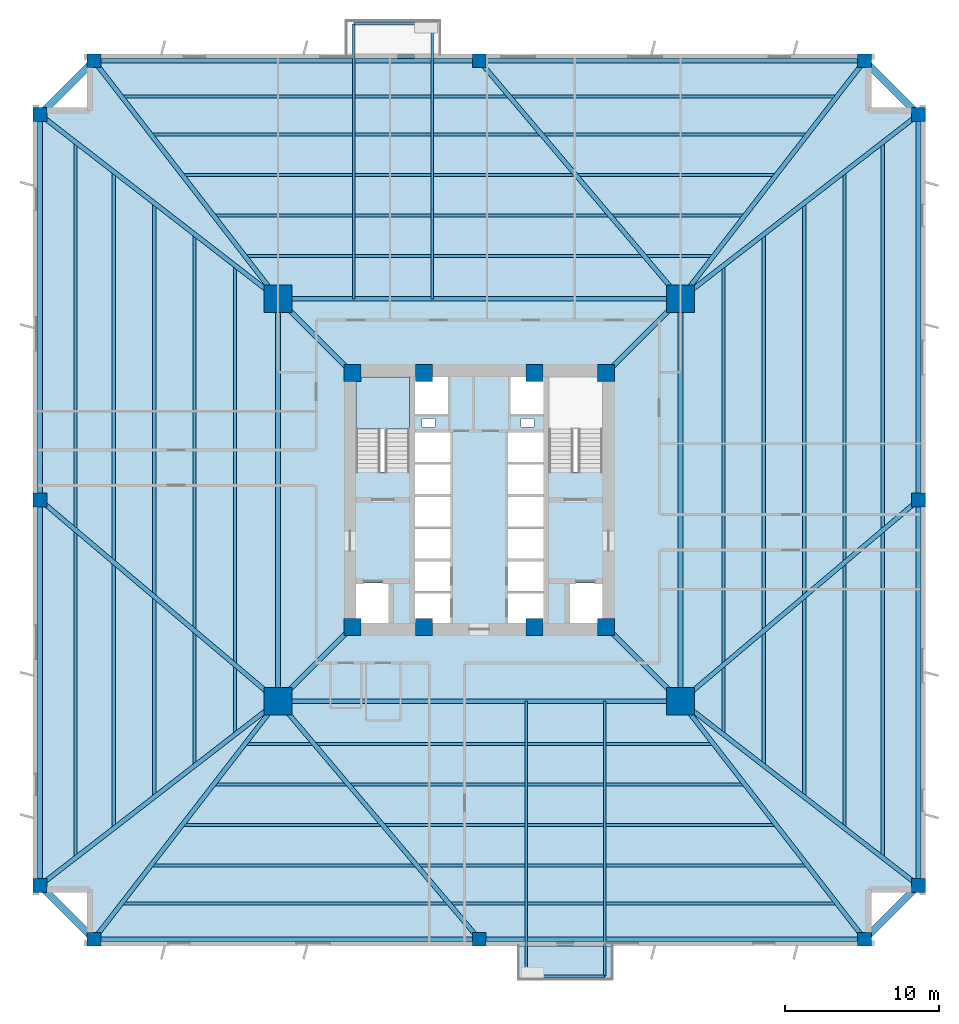
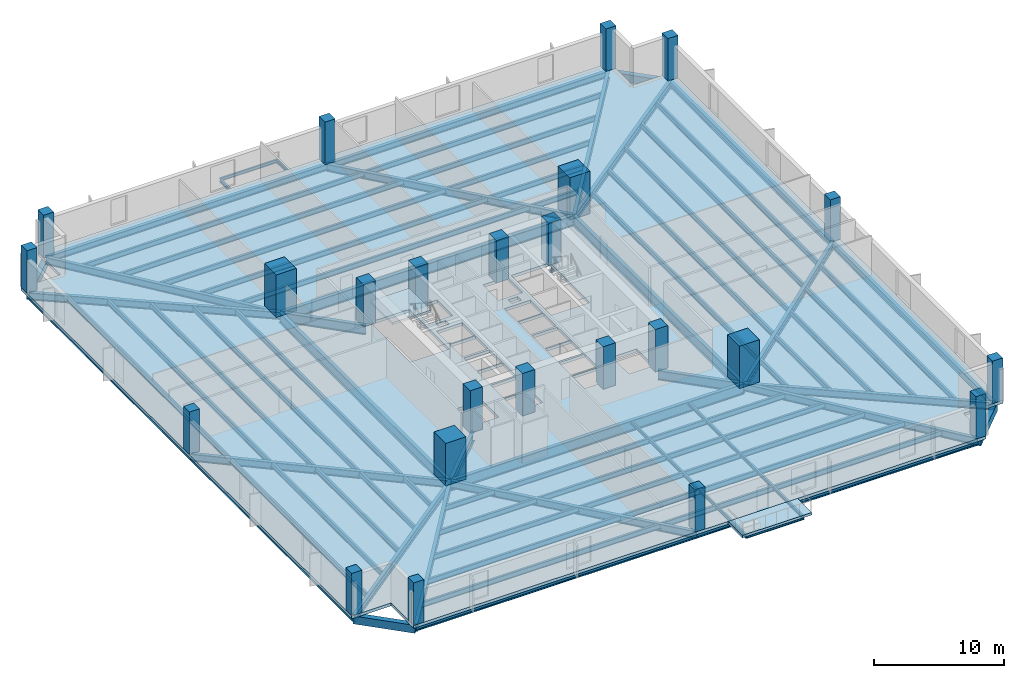
# One storey, part 1 of 8: 58 beams, 24 columns, 3 slabs, 1 element without a shape of its own.
"""IFC4 building model written with IfcOpenShell, lengths in metres."""

from ifc_helpers import new_model, si_unit, direction, frame, origin, origin_2d, place, context, subcontext, project, spatial, polyline, rectangle, i_section, outline, extrude, source, transform, mapped, material, layer, layer_set, material_profile, profile_set, type_object, element, aggregate, save


model = new_model("IFC4")

# Units and contexts
model_context = context("Model", 3, precision=1e-05, world=origin(), true_north=direction((0.0, 1.0)))
body_context = subcontext(model_context, "Body", "Model", "MODEL_VIEW")
ifc_project = project(units=[si_unit("LENGTHUNIT", "METRE"), si_unit("AREAUNIT", "SQUARE_METRE"), si_unit("VOLUMEUNIT", "CUBIC_METRE"), si_unit("PLANEANGLEUNIT", "RADIAN"), si_unit("MASSUNIT", "GRAM", prefix="KILO"), si_unit("THERMODYNAMICTEMPERATUREUNIT", "KELVIN")], contexts=[model_context])

# Site, building, storey
site_placement = place(None, origin())
site = spatial("IfcSite", under=ifc_project, at=site_placement, CompositionType="ELEMENT")
building_placement = place(site_placement, origin())
building = spatial("IfcBuilding", under=site, at=building_placement, Name="Kosmvard Interchange Tower", CompositionType="ELEMENT")
storey_placement = place(building_placement, frame((0.0, 0.0, 38.0)))
storey = spatial("IfcBuildingStorey", under=building, at=storey_placement, Name="L08", CompositionType="ELEMENT", Elevation=38.0)

# Columns
ifc_material_1 = material(Name="Concrete C80/95", Category="concrete")
ifc_material_profile_1 = material_profile(ifc_material_1, rectangle(XDim=1.10009765625, YDim=1.10009765625, at=origin_2d()), Name="CP 1100x1100")
ifc_profile_set_1 = profile_set([ifc_material_profile_1], Name="Concrete C80/95")
column_type_1 = type_object("IfcColumnType", Name="Core Boundary Pilaster 1100x1100 C80/95", PredefinedType="PILASTER", material=ifc_profile_set_1)
shared_shape_1 = source(origin(), body_context, "Body", "SweptSolid", [
    extrude(rectangle(XDim=1.10009765625, YDim=1.10009765625, at=origin_2d()), origin(), (0.0, 0.0, 1.0), 4.0),
])
for number, where, z_axis, x_axis, name in (
    (1, (-8.25, -8.25, 0.0), (0.0, 0.0, 1.0), (1.0, 0.0, 0.0), "L08 Core Pilaster CP1"),
    (2, (8.25, -8.25, 0.0), (0.0, 0.0, 1.0), (1.0, 0.0, 0.0), "L08 Core Pilaster CP2"),
    (3, (8.25, 8.25, 0.0), (0.0, 0.0, 1.0), (1.0, 0.0, 0.0), "L08 Core Pilaster CP3"),
    (4, (-8.25, 8.25, 0.0), (0.0, 0.0, 1.0), (1.0, 0.0, 0.0), "L08 Core Pilaster CP4"),
    (5, (-3.60009765625, -8.25, 0.0), (0.0, 0.0, 1.0), (1.0, 0.0, 0.0), "L08 Core Pilaster CP5"),
    (6, (3.60009765625, -8.25, 0.0), (0.0, 0.0, 1.0), (1.0, 0.0, 0.0), "L08 Core Pilaster CP6"),
    (7, (-3.60009765625, 8.25, 0.0), (0.0, 0.0, 1.0), (1.0, 0.0, 0.0), "L08 Core Pilaster CP7"),
    (8, (3.60009765625, 8.25, 0.0), (0.0, 0.0, 1.0), (1.0, 0.0, 0.0), "L08 Core Pilaster CP8"),
):
    element("IfcColumn", number, at=place(storey_placement, frame(where, z_axis=z_axis, x_axis=x_axis)), inside=storey, type_object=column_type_1, Name=name, PredefinedType="PILASTER", context=body_context, shape_type="MappedRepresentation", body=[
        mapped(shared_shape_1, transform((0.0, 0.0, 0.0), scale=1.0)),
    ])
ifc_material_profile_2 = material_profile(ifc_material_1, rectangle(XDim=1.800048828125, YDim=1.800048828125, at=origin_2d()), Name="MC 1800x1800")
ifc_profile_set_2 = profile_set([ifc_material_profile_2], Name="Concrete C80/95")
column_type_2 = type_object("IfcColumnType", Name="Composite Mega-Column 1800x1800 C80/95", PredefinedType="COLUMN", material=ifc_profile_set_2)
shared_shape_2 = source(origin(), body_context, "Body", "SweptSolid", [
    extrude(rectangle(XDim=1.800048828125, YDim=1.800048828125, at=origin_2d()), origin(), (0.0, 0.0, 1.0), 4.0),
])
for number, where, z_axis, x_axis, name in (
    (9, (-13.0810546875, -13.0810546875, 0.0), (0.0, 0.0, 1.0), (1.0, 0.0, 0.0), "L08 Corner Mega-Column MC1"),
    (10, (13.0810546875, -13.0810546875, 0.0), (0.0, 0.0, 1.0), (1.0, 0.0, 0.0), "L08 Corner Mega-Column MC2"),
    (11, (13.0810546875, 13.0810546875, 0.0), (0.0, 0.0, 1.0), (1.0, 0.0, 0.0), "L08 Corner Mega-Column MC3"),
    (12, (-13.0810546875, 13.0810546875, 0.0), (0.0, 0.0, 1.0), (1.0, 0.0, 0.0), "L08 Corner Mega-Column MC4"),
):
    element("IfcColumn", number, at=place(storey_placement, frame(where, z_axis=z_axis, x_axis=x_axis)), inside=storey, type_object=column_type_2, Name=name, PredefinedType="COLUMN", context=body_context, shape_type="MappedRepresentation", body=[
        mapped(shared_shape_2, transform((0.0, 0.0, 0.0), scale=1.0)),
    ])
ifc_material_2 = material(Name="Concrete C60/75", Category="concrete")
ifc_material_profile_3 = material_profile(ifc_material_2, rectangle(XDim=0.89990234375, YDim=0.89990234375, at=origin_2d()), Name="TC 900x900")
ifc_profile_set_3 = profile_set([ifc_material_profile_3], Name="Concrete C60/75")
column_type_3 = type_object("IfcColumnType", Name="Zone 1 Perimeter Pier Column 900x900 C60/75", PredefinedType="COLUMN", material=ifc_profile_set_3)
shared_shape_3 = source(origin(), body_context, "Body", "SweptSolid", [
    extrude(rectangle(XDim=0.89990234375, YDim=0.89990234375, at=origin_2d()), origin(), (0.0, 0.0, 1.0), 4.0),
])
for number, where, z_axis, x_axis, name in (
    (13, (-25.050048828125, -28.550048828125, 0.0), (0.0, 0.0, 1.0), (1.0, 0.0, 0.0), "L08 Perimeter Pier Column TC-S1"),
    (14, (0.0, -28.550048828125, 0.0), (0.0, 0.0, 1.0), (1.0, 0.0, 0.0), "L08 Perimeter Pier Column TC-S2"),
    (15, (25.050048828125, -28.550048828125, 0.0), (0.0, 0.0, 1.0), (1.0, 0.0, 0.0), "L08 Perimeter Pier Column TC-S3"),
    (16, (28.550048828125, -25.050048828125, 0.0), (0.0, 0.0, 1.0), (1.0, 0.0, 0.0), "L08 Perimeter Pier Column TC-E1"),
    (17, (28.550048828125, 0.0, 0.0), (0.0, 0.0, 1.0), (1.0, 0.0, 0.0), "L08 Perimeter Pier Column TC-E2"),
    (18, (28.550048828125, 25.050048828125, 0.0), (0.0, 0.0, 1.0), (1.0, 0.0, 0.0), "L08 Perimeter Pier Column TC-E3"),
    (19, (25.050048828125, 28.550048828125, 0.0), (0.0, 0.0, 1.0), (1.0, 0.0, 0.0), "L08 Perimeter Pier Column TC-N1"),
    (20, (0.0, 28.550048828125, 0.0), (0.0, 0.0, 1.0), (1.0, 0.0, 0.0), "L08 Perimeter Pier Column TC-N2"),
    (21, (-25.050048828125, 28.550048828125, 0.0), (0.0, 0.0, 1.0), (1.0, 0.0, 0.0), "L08 Perimeter Pier Column TC-N3"),
    (22, (-28.550048828125, 25.050048828125, 0.0), (0.0, 0.0, 1.0), (1.0, 0.0, 0.0), "L08 Perimeter Pier Column TC-W1"),
    (23, (-28.550048828125, 0.0, 0.0), (0.0, 0.0, 1.0), (1.0, 0.0, 0.0), "L08 Perimeter Pier Column TC-W2"),
    (24, (-28.550048828125, -25.050048828125, 0.0), (0.0, 0.0, 1.0), (1.0, 0.0, 0.0), "L08 Perimeter Pier Column TC-W3"),
):
    element("IfcColumn", number, at=place(storey_placement, frame(where, z_axis=z_axis, x_axis=x_axis)), inside=storey, type_object=column_type_3, Name=name, PredefinedType="COLUMN", context=body_context, shape_type="MappedRepresentation", body=[
        mapped(shared_shape_3, transform((0.0, 0.0, 0.0), scale=1.0)),
    ])

# Beams
ifc_material_3 = material(Name="Steel S460", Category="steel")
ifc_material_profile_4 = material_profile(ifc_material_3, i_section(OverallWidth=0.30810546875, OverallDepth=0.909912109375, WebThickness=0.02099609375, FlangeThickness=0.0400390625, FilletRadius=0.027099609375, at=origin_2d()), Name="HEM 900")
ifc_profile_set_4 = profile_set([ifc_material_profile_4], Name="Steel S460")
beam_type_1 = type_object("IfcBeamType", Name="Primary Mega-Frame Girder HEM 900 S460", PredefinedType="BEAM", material=ifc_profile_set_4)
shared_shape_4 = source(origin(), body_context, "Body", "SweptSolid", [
    extrude(i_section(OverallWidth=0.30810546875, OverallDepth=0.909912109375, WebThickness=0.02099609375, FlangeThickness=0.0400390625, FilletRadius=0.027099609375, at=origin_2d()), origin(), (0.0, 0.0, 1.0), 6.83203125),
])
for number, where, z_axis, x_axis, name in (
    (25, (-8.25, -8.25, -0.735107421875), (-0.707106781187, -0.707106781187, 0.0), (0.707106781187, -0.707106781187, 0.0), "L08 Radial Mega-Frame Girder 1"),
    (26, (8.25, -8.25, -0.735107421875), (0.707106781187, -0.707106781187, 0.0), (0.707106781187, 0.707106781187, 0.0), "L08 Radial Mega-Frame Girder 2"),
    (27, (8.25, 8.25, -0.735107421875), (0.707106781187, 0.707106781187, 0.0), (-0.707106781187, 0.707106781187, 0.0), "L08 Radial Mega-Frame Girder 3"),
    (28, (-8.25, 8.25, -0.735107421875), (-0.707106781187, 0.707106781187, 0.0), (-0.707106781187, -0.707106781187, 0.0), "L08 Radial Mega-Frame Girder 4"),
):
    element("IfcBeam", number, at=place(storey_placement, frame(where, z_axis=z_axis, x_axis=x_axis)), inside=storey, type_object=beam_type_1, Name=name, PredefinedType="BEAM", context=body_context, shape_type="MappedRepresentation", body=[
        mapped(shared_shape_4, transform((0.0, 0.0, 0.0), scale=1.0)),
    ])
ifc_material_profile_5 = material_profile(ifc_material_3, i_section(OverallWidth=0.30908203125, OverallDepth=1.008056640625, WebThickness=0.02099609375, FlangeThickness=0.0400390625, FilletRadius=0.030029296875, at=origin_2d()), Name="HEM 1000")
ifc_profile_set_5 = profile_set([ifc_material_profile_5], Name="Steel S460")
beam_type_2 = type_object("IfcBeamType", Name="Mega-Column Ring Girder HEM 1000 S460", PredefinedType="BEAM", material=ifc_profile_set_5)
shared_shape_5 = source(origin(), body_context, "Body", "SweptSolid", [
    extrude(i_section(OverallWidth=0.30908203125, OverallDepth=1.008056640625, WebThickness=0.02099609375, FlangeThickness=0.0400390625, FilletRadius=0.030029296875, at=origin_2d()), origin(), (0.0, 0.0, 1.0), 26.162109375),
])
for number, where, z_axis, x_axis, name in (
    (29, (-13.0810546875, -13.0810546875, -0.783935546875), (1.0, 0.0, 0.0), (0.0, 1.0, 0.0), "L08 Mega-Column Ring Girder 1"),
    (30, (13.0810546875, -13.0810546875, -0.783935546875), (0.0, 1.0, 0.0), (-1.0, 0.0, 0.0), "L08 Mega-Column Ring Girder 2"),
    (31, (13.0810546875, 13.0810546875, -0.783935546875), (-1.0, 0.0, 0.0), (0.0, -1.0, 0.0), "L08 Mega-Column Ring Girder 3"),
    (32, (-13.0810546875, 13.0810546875, -0.783935546875), (0.0, -1.0, 0.0), (1.0, 0.0, 0.0), "L08 Mega-Column Ring Girder 4"),
):
    element("IfcBeam", number, at=place(storey_placement, frame(where, z_axis=z_axis, x_axis=x_axis)), inside=storey, type_object=beam_type_2, Name=name, PredefinedType="BEAM", context=body_context, shape_type="MappedRepresentation", body=[
        mapped(shared_shape_5, transform((0.0, 0.0, 0.0), scale=1.0)),
    ])
ifc_material_4 = material(Name="Steel S355", Category="steel")
ifc_material_profile_6 = material_profile(ifc_material_4, i_section(OverallWidth=0.159912109375, OverallDepth=0.330078125, WebThickness=0.007568359375, FlangeThickness=0.011474609375, FilletRadius=0.01806640625, at=origin_2d()), Name="IPE 330")
ifc_profile_set_6 = profile_set([ifc_material_profile_6], Name="Steel S355")
beam_type_3 = type_object("IfcBeamType", Name="Balcony Cantilever Joist IPE 330 S355", PredefinedType="JOIST", material=ifc_profile_set_6)
shared_shape_6 = source(origin(), body_context, "Body", "SweptSolid", [
    extrude(i_section(OverallWidth=0.159912109375, OverallDepth=0.330078125, WebThickness=0.007568359375, FlangeThickness=0.011474609375, FilletRadius=0.01806640625, at=origin_2d()), origin(), (0.0, 0.0, 1.0), 17.868896484375),
])
for number, where, z_axis, x_axis, name in (
    (33, (-3.050048828125, 13.0810546875, -0.445068359375), (0.0, 1.0, 0.0), (-1.0, 0.0, 0.0), "BM-L08-BJ1"),
    (34, (-8.14990234375, 13.0810546875, -0.445068359375), (0.0, 1.0, 0.0), (-1.0, 0.0, 0.0), "BM-L08-BJB1"),
    (35, (3.050048828125, -13.0810546875, -0.445068359375), (0.0, -1.0, 0.0), (1.0, 0.0, 0.0), "BM-L08-BJ2"),
    (36, (8.14990234375, -13.0810546875, -0.445068359375), (0.0, -1.0, 0.0), (1.0, 0.0, 0.0), "BM-L08-BJB2"),
):
    element("IfcBeam", number, at=place(storey_placement, frame(where, z_axis=z_axis, x_axis=x_axis)), inside=storey, type_object=beam_type_3, Name=name, PredefinedType="JOIST", context=body_context, shape_type="MappedRepresentation", body=[
        mapped(shared_shape_6, transform((0.0, 0.0, 0.0), scale=1.0)),
    ])
ifc_material_profile_7 = material_profile(ifc_material_4, i_section(OverallWidth=0.14990234375, OverallDepth=0.300048828125, WebThickness=0.007080078125, FlangeThickness=0.0107421875, FilletRadius=0.014892578125, at=origin_2d()), Name="IPE 300")
ifc_profile_set_7 = profile_set([ifc_material_profile_7], Name="Steel S355")
beam_type_4 = type_object("IfcBeamType", Name="Balcony Edge Header Joist IPE 300 S355", PredefinedType="JOIST", material=ifc_profile_set_7)
shared_shape_7 = source(origin(), body_context, "Body", "SweptSolid", [
    extrude(i_section(OverallWidth=0.14990234375, OverallDepth=0.300048828125, WebThickness=0.007080078125, FlangeThickness=0.0107421875, FilletRadius=0.014892578125, at=origin_2d()), origin(), (0.0, 0.0, 1.0), 5.099853515625),
])
for number, where, z_axis, x_axis, name in (
    (37, (-3.050048828125, 30.949951171875, -0.429931640625), (-1.0, 0.0, 0.0), (0.0, -1.0, 0.0), "BM-L08-BJH1"),
    (38, (3.050048828125, -30.949951171875, -0.429931640625), (1.0, 0.0, 0.0), (0.0, 1.0, 0.0), "BM-L08-BJH2"),
):
    element("IfcBeam", number, at=place(storey_placement, frame(where, z_axis=z_axis, x_axis=x_axis)), inside=storey, type_object=beam_type_4, Name=name, PredefinedType="JOIST", context=body_context, shape_type="MappedRepresentation", body=[
        mapped(shared_shape_7, transform((0.0, 0.0, 0.0), scale=1.0)),
    ])
ifc_material_profile_8 = material_profile(ifc_material_4, i_section(OverallWidth=0.300048828125, OverallDepth=0.60009765625, WebThickness=0.015380859375, FlangeThickness=0.030029296875, FilletRadius=0.027099609375, at=origin_2d()), Name="HEB 600")
ifc_profile_set_8 = profile_set([ifc_material_profile_8], Name="Steel S355")
beam_type_5 = type_object("IfcBeamType", Name="Perimeter Tie Girder HEB 600 S355", PredefinedType="BEAM", material=ifc_profile_set_8)
shared_shape_8 = source(origin(), body_context, "Body", "SweptSolid", [
    extrude(i_section(OverallWidth=0.300048828125, OverallDepth=0.60009765625, WebThickness=0.015380859375, FlangeThickness=0.030029296875, FilletRadius=0.027099609375, at=origin_2d()), origin(), (0.0, 0.0, 1.0), 25.050048828125),
])
for number, where, z_axis, x_axis, name in (
    (39, (-25.050048828125, -28.550048828125, -0.580078125), (1.0, 0.0, 0.0), (0.0, 1.0, 0.0), "BM-L08-PR01"),
    (40, (0.0, -28.550048828125, -0.580078125), (1.0, 0.0, 0.0), (0.0, 1.0, 0.0), "BM-L08-PR02"),
    (41, (28.550048828125, -25.050048828125, -0.580078125), (0.0, 1.0, 0.0), (-1.0, 0.0, 0.0), "BM-L08-PR04"),
    (42, (28.550048828125, 0.0, -0.580078125), (0.0, 1.0, 0.0), (-1.0, 0.0, 0.0), "BM-L08-PR05"),
    (43, (25.050048828125, 28.550048828125, -0.580078125), (-1.0, 0.0, 0.0), (0.0, -1.0, 0.0), "BM-L08-PR07"),
    (44, (0.0, 28.550048828125, -0.580078125), (-1.0, 0.0, 0.0), (0.0, -1.0, 0.0), "BM-L08-PR08"),
    (45, (-28.550048828125, 25.050048828125, -0.580078125), (0.0, -1.0, 0.0), (1.0, 0.0, 0.0), "BM-L08-PR10"),
    (46, (-28.550048828125, 0.0, -0.580078125), (0.0, -1.0, 0.0), (1.0, 0.0, 0.0), "BM-L08-PR11"),
):
    element("IfcBeam", number, at=place(storey_placement, frame(where, z_axis=z_axis, x_axis=x_axis)), inside=storey, type_object=beam_type_5, Name=name, PredefinedType="BEAM", context=body_context, shape_type="MappedRepresentation", body=[
        mapped(shared_shape_8, transform((0.0, 0.0, 0.0), scale=1.0)),
    ])
ifc_material_profile_9 = material_profile(ifc_material_4, i_section(OverallWidth=0.300048828125, OverallDepth=0.699951171875, WebThickness=0.01708984375, FlangeThickness=0.031982421875, FilletRadius=0.027099609375, at=origin_2d()), Name="HEB 700")
ifc_profile_set_9 = profile_set([ifc_material_profile_9], Name="Steel S355")
beam_type_6 = type_object("IfcBeamType", Name="Primary Floor Girder HEB 700 S355", PredefinedType="BEAM", material=ifc_profile_set_9)
shared_shape_9 = source(origin(), body_context, "Body", "SweptSolid", [
    extrude(i_section(OverallWidth=0.300048828125, OverallDepth=0.699951171875, WebThickness=0.01708984375, FlangeThickness=0.031982421875, FilletRadius=0.027099609375, at=origin_2d()), origin(), (0.0, 0.0, 1.0), 19.558837890625),
])
for number, where, z_axis, x_axis, name in (
    (47, (-13.0810546875, -13.0810546875, -0.6298828125), (-0.611949354357, -0.79089695138, 0.0), (0.79089695138, -0.611949354357, 0.0), "BM-L08-RD01"),
    (48, (13.0810546875, -13.0810546875, -0.6298828125), (0.611949354357, -0.79089695138, 0.0), (0.79089695138, 0.611949354357, 0.0), "BM-L08-RD03"),
    (49, (13.0810546875, -13.0810546875, -0.6298828125), (0.79089695138, -0.611949354357, 0.0), (0.611949354357, 0.79089695138, 0.0), "BM-L08-RD04"),
    (50, (13.0810546875, 13.0810546875, -0.6298828125), (0.79089695138, 0.611949354357, 0.0), (-0.611949354357, 0.79089695138, 0.0), "BM-L08-RD06"),
    (51, (13.0810546875, 13.0810546875, -0.6298828125), (0.611949354357, 0.79089695138, 0.0), (-0.79089695138, 0.611949354357, 0.0), "BM-L08-RD07"),
    (52, (-13.0810546875, 13.0810546875, -0.6298828125), (-0.611949354357, 0.79089695138, 0.0), (-0.79089695138, -0.611949354357, 0.0), "BM-L08-RD09"),
    (53, (-13.0810546875, 13.0810546875, -0.6298828125), (-0.79089695138, 0.611949354357, 0.0), (-0.611949354357, -0.79089695138, 0.0), "BM-L08-RD10"),
    (54, (-13.0810546875, -13.0810546875, -0.6298828125), (-0.79089695138, -0.611949354357, 0.0), (0.611949354357, -0.79089695138, 0.0), "BM-L08-RD12"),
):
    element("IfcBeam", number, at=place(storey_placement, frame(where, z_axis=z_axis, x_axis=x_axis)), inside=storey, type_object=beam_type_6, Name=name, PredefinedType="BEAM", context=body_context, shape_type="MappedRepresentation", body=[
        mapped(shared_shape_9, transform((0.0, 0.0, 0.0), scale=1.0)),
    ])
shared_shape_10 = source(origin(), body_context, "Body", "SweptSolid", [
    extrude(i_section(OverallWidth=0.300048828125, OverallDepth=0.699951171875, WebThickness=0.01708984375, FlangeThickness=0.031982421875, FilletRadius=0.027099609375, at=origin_2d()), origin(), (0.0, 0.0, 1.0), 20.258544921875),
])
for number, where, z_axis, x_axis, name in (
    (55, (-13.0810546875, -13.0810546875, -0.6298828125), (0.645709371734, -0.763583268056, 0.0), (0.763583268056, 0.645709371734, 0.0), "BM-L08-RD02"),
    (56, (13.0810546875, -13.0810546875, -0.6298828125), (0.763583268056, 0.645709371734, 0.0), (-0.645709371734, 0.763583268056, 0.0), "BM-L08-RD05"),
    (57, (13.0810546875, 13.0810546875, -0.6298828125), (-0.645709371734, 0.763583268056, 0.0), (-0.763583268056, -0.645709371734, 0.0), "BM-L08-RD08"),
    (58, (-13.0810546875, -13.0810546875, -0.6298828125), (-0.763583268056, 0.645709371734, 0.0), (-0.645709371734, -0.763583268056, 0.0), "BM-L08-RD11"),
):
    element("IfcBeam", number, at=place(storey_placement, frame(where, z_axis=z_axis, x_axis=x_axis)), inside=storey, type_object=beam_type_6, Name=name, PredefinedType="BEAM", context=body_context, shape_type="MappedRepresentation", body=[
        mapped(shared_shape_10, transform((0.0, 0.0, 0.0), scale=1.0)),
    ])
ifc_material_5 = material(Name="Precast concrete C45/55", Category="concrete")
ifc_material_profile_10 = material_profile(ifc_material_5, rectangle(XDim=0.449951171875, YDim=0.75, at=origin_2d()), Name="SL 450x750")
ifc_profile_set_10 = profile_set([ifc_material_profile_10], Name="Precast concrete C45/55")
beam_type_7 = type_object("IfcBeamType", Name="Precast Spandrel Lintel 450x750 C45/55", PredefinedType="LINTEL", material=ifc_profile_set_10)
shared_shape_11 = source(origin(), body_context, "Body", "SweptSolid", [
    extrude(rectangle(XDim=0.449951171875, YDim=0.75, at=origin_2d()), origin(), (0.0, 0.0, 1.0), 4.94970703125),
])
for number, where, z_axis, x_axis, name in (
    (59, (25.050048828125, -28.550048828125, -0.655029296875), (0.707106781187, 0.707106781187, 0.0), (-0.707106781187, 0.707106781187, 0.0), "BM-L08-SL1"),
    (60, (28.550048828125, 25.050048828125, -0.655029296875), (-0.707106781187, 0.707106781187, 0.0), (-0.707106781187, -0.707106781187, 0.0), "BM-L08-SL2"),
    (61, (-25.050048828125, 28.550048828125, -0.655029296875), (-0.707106781187, -0.707106781187, 0.0), (0.707106781187, -0.707106781187, 0.0), "BM-L08-SL3"),
    (62, (-28.550048828125, -25.050048828125, -0.655029296875), (0.707106781187, -0.707106781187, 0.0), (0.707106781187, 0.707106781187, 0.0), "BM-L08-SL4"),
):
    element("IfcBeam", number, at=place(storey_placement, frame(where, z_axis=z_axis, x_axis=x_axis)), inside=storey, type_object=beam_type_7, Name=name, PredefinedType="LINTEL", context=body_context, shape_type="MappedRepresentation", body=[
        mapped(shared_shape_11, transform((0.0, 0.0, 0.0), scale=1.0)),
    ])
ifc_material_profile_11 = material_profile(ifc_material_4, i_section(OverallWidth=0.199951171875, OverallDepth=0.5, WebThickness=0.01025390625, FlangeThickness=0.01611328125, FilletRadius=0.02099609375, at=origin_2d()), Name="IPE 500")
ifc_profile_set_11 = profile_set([ifc_material_profile_11], Name="Steel S355")
beam_type_8 = type_object("IfcBeamType", Name="Standard Floor Joist IPE 500 S355", PredefinedType="JOIST", material=ifc_profile_set_11)
shared_shape_12 = source(origin(), body_context, "Body", "SweptSolid", [
    extrude(i_section(OverallWidth=0.199951171875, OverallDepth=0.5, WebThickness=0.01025390625, FlangeThickness=0.01611328125, FilletRadius=0.02099609375, at=origin_2d()), origin(), (0.0, 0.0, 1.0), 30.31103515625),
])
for number, where, z_axis, x_axis, name in (
    (63, (-15.155517578125, -15.865478515625, -0.530029296875), (1.0, 0.0, 0.0), (0.0, 1.0, 0.0), "BM-L08-FJ01"),
    (64, (15.865478515625, -15.155517578125, -0.530029296875), (0.0, 1.0, 0.0), (-1.0, 0.0, 0.0), "BM-L08-FJ06"),
    (65, (15.155517578125, 15.865478515625, -0.530029296875), (-1.0, 0.0, 0.0), (0.0, -1.0, 0.0), "BM-L08-FJ11"),
    (66, (-15.865478515625, 15.155517578125, -0.530029296875), (0.0, -1.0, 0.0), (1.0, 0.0, 0.0), "BM-L08-FJ16"),
):
    element("IfcBeam", number, at=place(storey_placement, frame(where, z_axis=z_axis, x_axis=x_axis)), inside=storey, type_object=beam_type_8, Name=name, PredefinedType="JOIST", context=body_context, shape_type="MappedRepresentation", body=[
        mapped(shared_shape_12, transform((0.0, 0.0, 0.0), scale=1.0)),
    ])
shared_shape_13 = source(origin(), body_context, "Body", "SweptSolid", [
    extrude(i_section(OverallWidth=0.199951171875, OverallDepth=0.5, WebThickness=0.01025390625, FlangeThickness=0.01611328125, FilletRadius=0.02099609375, at=origin_2d()), origin(), (0.0, 0.0, 1.0), 34.38037109375),
])
for number, where, z_axis, x_axis, name in (
    (67, (-17.190185546875, -18.4951171875, -0.530029296875), (1.0, 0.0, 0.0), (0.0, 1.0, 0.0), "BM-L08-FJ02"),
    (68, (18.4951171875, -17.190185546875, -0.530029296875), (0.0, 1.0, 0.0), (-1.0, 0.0, 0.0), "BM-L08-FJ07"),
    (69, (17.190185546875, 18.4951171875, -0.530029296875), (-1.0, 0.0, 0.0), (0.0, -1.0, 0.0), "BM-L08-FJ12"),
    (70, (-18.4951171875, 17.190185546875, -0.530029296875), (0.0, -1.0, 0.0), (1.0, 0.0, 0.0), "BM-L08-FJ17"),
):
    element("IfcBeam", number, at=place(storey_placement, frame(where, z_axis=z_axis, x_axis=x_axis)), inside=storey, type_object=beam_type_8, Name=name, PredefinedType="JOIST", context=body_context, shape_type="MappedRepresentation", body=[
        mapped(shared_shape_13, transform((0.0, 0.0, 0.0), scale=1.0)),
    ])
shared_shape_14 = source(origin(), body_context, "Body", "SweptSolid", [
    extrude(i_section(OverallWidth=0.199951171875, OverallDepth=0.5, WebThickness=0.01025390625, FlangeThickness=0.01611328125, FilletRadius=0.02099609375, at=origin_2d()), origin(), (0.0, 0.0, 1.0), 38.44970703125),
])
for number, where, z_axis, x_axis, name in (
    (71, (-19.224853515625, -21.125, -0.530029296875), (1.0, 0.0, 0.0), (0.0, 1.0, 0.0), "BM-L08-FJ03"),
    (72, (21.125, -19.224853515625, -0.530029296875), (0.0, 1.0, 0.0), (-1.0, 0.0, 0.0), "BM-L08-FJ08"),
    (73, (19.224853515625, 21.125, -0.530029296875), (-1.0, 0.0, 0.0), (0.0, -1.0, 0.0), "BM-L08-FJ13"),
    (74, (-21.125, 19.224853515625, -0.530029296875), (0.0, -1.0, 0.0), (1.0, 0.0, 0.0), "BM-L08-FJ18"),
):
    element("IfcBeam", number, at=place(storey_placement, frame(where, z_axis=z_axis, x_axis=x_axis)), inside=storey, type_object=beam_type_8, Name=name, PredefinedType="JOIST", context=body_context, shape_type="MappedRepresentation", body=[
        mapped(shared_shape_14, transform((0.0, 0.0, 0.0), scale=1.0)),
    ])
shared_shape_15 = source(origin(), body_context, "Body", "SweptSolid", [
    extrude(i_section(OverallWidth=0.199951171875, OverallDepth=0.5, WebThickness=0.01025390625, FlangeThickness=0.01611328125, FilletRadius=0.02099609375, at=origin_2d()), origin(), (0.0, 0.0, 1.0), 42.51904296875),
])
for number, where, z_axis, x_axis, name in (
    (75, (-21.259521484375, -23.754638671875, -0.530029296875), (1.0, 0.0, 0.0), (0.0, 1.0, 0.0), "BM-L08-FJ04"),
    (76, (23.754638671875, -21.259521484375, -0.530029296875), (0.0, 1.0, 0.0), (-1.0, 0.0, 0.0), "BM-L08-FJ09"),
    (77, (21.259521484375, 23.754638671875, -0.530029296875), (-1.0, 0.0, 0.0), (0.0, -1.0, 0.0), "BM-L08-FJ14"),
    (78, (-23.754638671875, 21.259521484375, -0.530029296875), (0.0, -1.0, 0.0), (1.0, 0.0, 0.0), "BM-L08-FJ19"),
):
    element("IfcBeam", number, at=place(storey_placement, frame(where, z_axis=z_axis, x_axis=x_axis)), inside=storey, type_object=beam_type_8, Name=name, PredefinedType="JOIST", context=body_context, shape_type="MappedRepresentation", body=[
        mapped(shared_shape_15, transform((0.0, 0.0, 0.0), scale=1.0)),
    ])
shared_shape_16 = source(origin(), body_context, "Body", "SweptSolid", [
    extrude(i_section(OverallWidth=0.199951171875, OverallDepth=0.5, WebThickness=0.01025390625, FlangeThickness=0.01611328125, FilletRadius=0.02099609375, at=origin_2d()), origin(), (0.0, 0.0, 1.0), 46.34912109375),
])
for number, where, z_axis, x_axis, name in (
    (79, (-23.174560546875, -26.229736328125, -0.530029296875), (1.0, 0.0, 0.0), (0.0, 1.0, 0.0), "BM-L08-FJ05"),
    (80, (26.229736328125, -23.174560546875, -0.530029296875), (0.0, 1.0, 0.0), (-1.0, 0.0, 0.0), "BM-L08-FJ10"),
    (81, (23.174560546875, 26.229736328125, -0.530029296875), (-1.0, 0.0, 0.0), (0.0, -1.0, 0.0), "BM-L08-FJ15"),
    (82, (-26.229736328125, 23.174560546875, -0.530029296875), (0.0, -1.0, 0.0), (1.0, 0.0, 0.0), "BM-L08-FJ20"),
):
    element("IfcBeam", number, at=place(storey_placement, frame(where, z_axis=z_axis, x_axis=x_axis)), inside=storey, type_object=beam_type_8, Name=name, PredefinedType="JOIST", context=body_context, shape_type="MappedRepresentation", body=[
        mapped(shared_shape_16, transform((0.0, 0.0, 0.0), scale=1.0)),
    ])

# Slab
ifc_material_6 = material(Name="Concrete C50/60", Category="concrete")
ifc_layer_1 = layer(ifc_material_6, 0.280029296875, Name="Concrete C50/60")
ifc_layer_set_1 = layer_set([ifc_layer_1], Name="Concrete C50/60")
slab_type_1 = type_object("IfcSlabType", Name="Low-Rise Office Composite Slab 280 C50/60", PredefinedType="FLOOR", material=ifc_layer_set_1)
slab_1_placement = place(storey_placement, frame((0.0, 0.0, -0.280029296875)))
element("IfcSlab", 83, at=slab_1_placement, inside=storey, type_object=slab_type_1, Name="L08 Structural Floor Slab", PredefinedType="FLOOR", context=body_context, shape_type="SweptSolid", body=[
    extrude(outline(polyline([(-25.5, -29.0), (25.5, -29.0), (25.5, -25.5), (29.0, -25.5), (29.0, 25.5), (25.5, 25.5), (25.5, 29.0), (-25.5, 29.0), (-25.5, 25.5), (-29.0, 25.5), (-29.0, -25.5), (-25.5, -25.5), (-25.5, -29.0)]), holes=[polyline([(-8.0, 1.8349609375), (-4.5400390625, 1.8349609375), (-4.5400390625, 8.0), (-8.0, 8.0), (-8.0, 1.8349609375)]), polyline([(4.5400390625, 1.8349609375), (8.0, 1.8349609375), (8.0, 8.0), (4.5400390625, 8.0), (4.5400390625, 1.8349609375)]), polyline([(-8.0, -8.0), (-5.800048828125, -8.0), (-5.800048828125, -5.39990234375), (-8.0, -5.39990234375), (-8.0, -8.0)]), polyline([(5.800048828125, -8.0), (8.0, -8.0), (8.0, -5.39990234375), (5.800048828125, -5.39990234375), (5.800048828125, -8.0)]), polyline([(-4.179931640625, -8.0), (-1.8798828125, -8.0), (-1.8798828125, -6.06005859375), (-4.179931640625, -6.06005859375), (-4.179931640625, -8.0)]), polyline([(-4.179931640625, -5.93994140625), (-1.8798828125, -5.93994140625), (-1.8798828125, -4.0), (-4.179931640625, -4.0), (-4.179931640625, -5.93994140625)]), polyline([(1.8798828125, -8.0), (4.179931640625, -8.0), (4.179931640625, -6.06005859375), (1.8798828125, -6.06005859375), (1.8798828125, -8.0)]), polyline([(1.8798828125, -5.93994140625), (4.179931640625, -5.93994140625), (4.179931640625, -4.0), (1.8798828125, -4.0), (1.8798828125, -5.93994140625)]), polyline([(-4.179931640625, -3.800048828125), (-1.8798828125, -3.800048828125), (-1.8798828125, -1.860107421875), (-4.179931640625, -1.860107421875), (-4.179931640625, -3.800048828125)]), polyline([(-4.179931640625, -1.739990234375), (-1.8798828125, -1.739990234375), (-1.8798828125, 0.199951171875), (-4.179931640625, 0.199951171875), (-4.179931640625, -1.739990234375)]), polyline([(1.8798828125, -3.800048828125), (4.179931640625, -3.800048828125), (4.179931640625, -1.860107421875), (1.8798828125, -1.860107421875), (1.8798828125, -3.800048828125)]), polyline([(1.8798828125, -1.739990234375), (4.179931640625, -1.739990234375), (4.179931640625, 0.199951171875), (1.8798828125, 0.199951171875), (1.8798828125, -1.739990234375)]), polyline([(-4.179931640625, 0.39990234375), (-1.8798828125, 0.39990234375), (-1.8798828125, 2.340087890625), (-4.179931640625, 2.340087890625), (-4.179931640625, 0.39990234375)]), polyline([(-4.179931640625, 2.4599609375), (-1.8798828125, 2.4599609375), (-1.8798828125, 4.39990234375), (-4.179931640625, 4.39990234375), (-4.179931640625, 2.4599609375)]), polyline([(1.8798828125, 0.39990234375), (4.179931640625, 0.39990234375), (4.179931640625, 2.340087890625), (1.8798828125, 2.340087890625), (1.8798828125, 0.39990234375)]), polyline([(1.8798828125, 2.4599609375), (4.179931640625, 2.4599609375), (4.179931640625, 4.39990234375), (1.8798828125, 4.39990234375), (1.8798828125, 2.4599609375)]), polyline([(-4.179931640625, 5.60009765625), (-2.0400390625, 5.60009765625), (-2.0400390625, 8.0), (-4.179931640625, 8.0), (-4.179931640625, 5.60009765625)]), polyline([(2.0400390625, 5.60009765625), (4.179931640625, 5.60009765625), (4.179931640625, 8.0), (2.0400390625, 8.0), (2.0400390625, 5.60009765625)]), polyline([(-3.715087890625, 4.739990234375), (-2.864990234375, 4.739990234375), (-2.864990234375, 5.2900390625), (-3.715087890625, 5.2900390625), (-3.715087890625, 4.739990234375)]), polyline([(2.715087890625, 4.739990234375), (3.56494140625, 4.739990234375), (3.56494140625, 5.2900390625), (2.715087890625, 5.2900390625), (2.715087890625, 4.739990234375)])]), origin(), (0.0, 0.0, 1.0), 0.280029296875),
])

# Stair, slab
stair_type = type_object("IfcStairType", Name="Dog-Leg Core Exit Stair H4000 C50/60", PredefinedType="HALF_TURN_STAIR", material=ifc_material_6)
stair_placement = place(storey_placement, origin())
stair = element("IfcStair", 84, at=stair_placement, inside=storey, type_object=stair_type, Name="L08 Protected Exit Stair ST-1", PredefinedType="HALF_TURN_STAIR")
ifc_layer_2 = layer(ifc_material_6, 0.199951171875, Name="Concrete C50/60")
ifc_layer_set_2 = layer_set([ifc_layer_2], Name="Concrete C50/60")
slab_type_2 = type_object("IfcSlabType", Name="Stair Half-Landing Slab 200 C50/60", PredefinedType="LANDING", material=ifc_layer_set_2)
slab_2_placement = place(storey_placement, frame((0.0, 0.0, 1.800048828125)))
slab_2 = element("IfcSlab", 85, at=slab_2_placement, type_object=slab_type_2, Name="ST-1 landing 1", PredefinedType="LANDING", context=body_context, shape_type="SweptSolid", body=[
    extrude(outline(polyline([(-4.5400390625, 4.60009765625), (-4.5400390625, 8.0), (-8.0, 8.0), (-8.0, 4.60009765625), (-4.5400390625, 4.60009765625)])), origin(), (0.0, 0.0, 1.0), 0.199951171875),
])
aggregate(stair, [slab_2])

# Slab
ifc_layer_3 = layer(ifc_material_6, 0.22998046875, Name="Concrete C50/60")
ifc_layer_set_3 = layer_set([ifc_layer_3], Name="Concrete C50/60")
slab_type_3 = type_object("IfcSlabType", Name="Tree-Planter Cantilever Balcony Slab 230 C50/60", PredefinedType="FLOOR", material=ifc_layer_set_3)
slab_3_placement = place(storey_placement, frame((0.0, 0.0, -0.22998046875)))
element("IfcSlab", 86, at=slab_3_placement, inside=storey, type_object=slab_type_3, Name="L08 Outdoor Terrace Balcony Slab BAL-L08-SW", PredefinedType="FLOOR", context=body_context, shape_type="SweptSolid", body=[
    extrude(outline(polyline([(2.5, -31.199951171875), (8.699951171875, -31.199951171875), (8.699951171875, -29.0), (2.5, -29.0), (2.5, -31.199951171875)])), origin(), (0.0, 0.0, 1.0), 0.22998046875),
])

save(model, "model.ifc")
